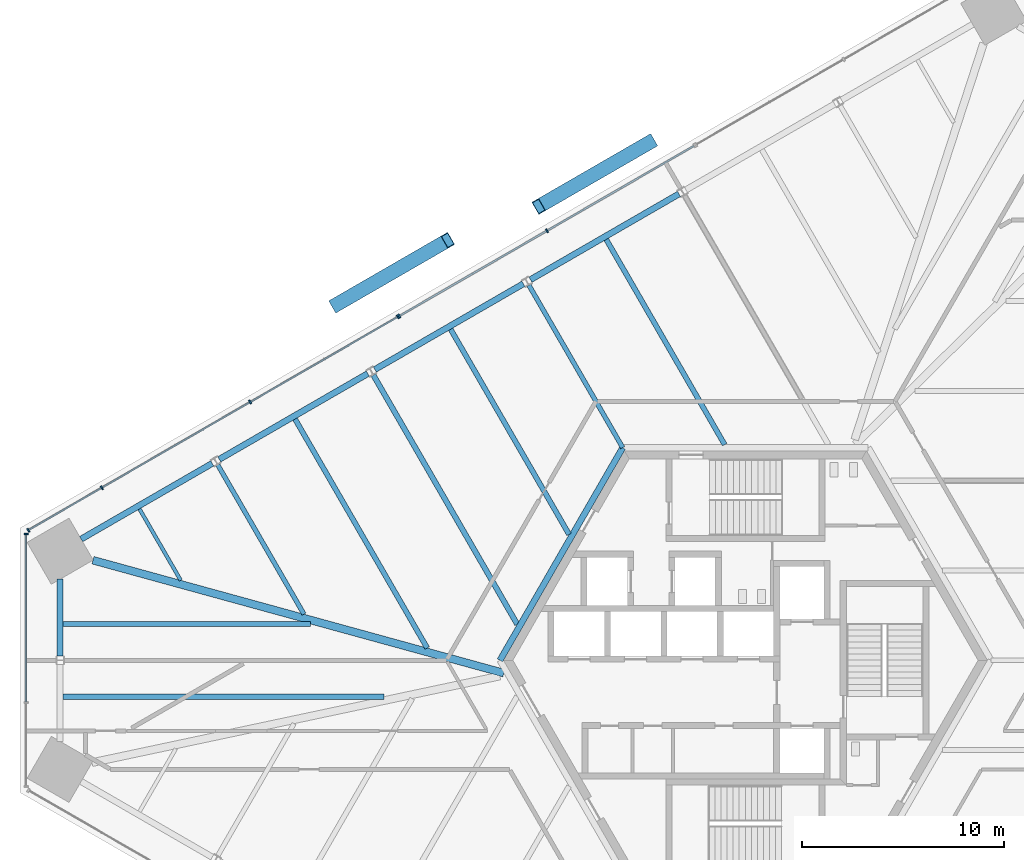
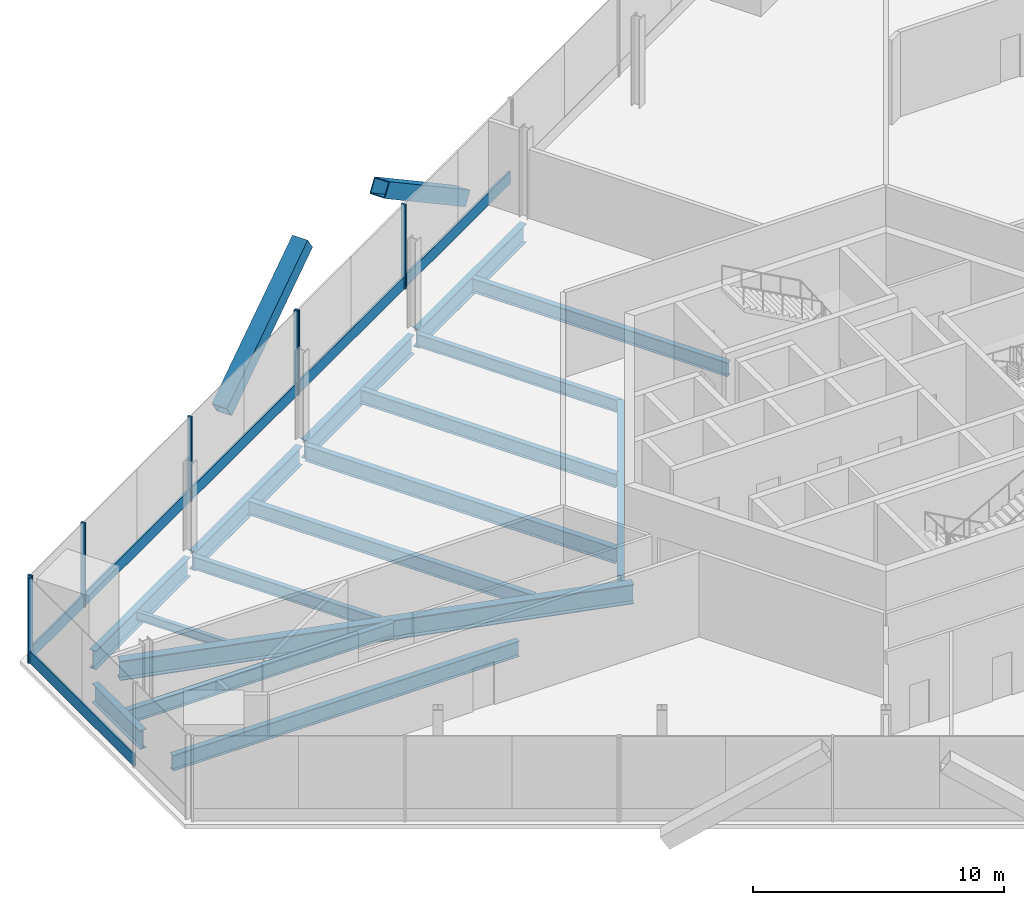
# One storey, part 5 of 15: 16 beams, 15 members, 3 elements without a shape of their own.
"""IFC4 building model written with IfcOpenShell, lengths in metres."""

from ifc_helpers import new_model, si_unit, direction, frame, origin, origin_2d, place, context, subcontext, project, spatial, rectangle, hollow_rectangle, i_section, extrude, source, transform, mapped, material, material_profile, profile_set, type_object, element, aggregate, save


model = new_model("IFC4")

# Units and contexts
model_context = context("Model", 3, precision=1e-05, world=origin(), true_north=direction((0.0, 1.0)))
body_context = subcontext(model_context, "Body", "Model", "MODEL_VIEW")
ifc_project = project(units=[si_unit("LENGTHUNIT", "METRE"), si_unit("AREAUNIT", "SQUARE_METRE"), si_unit("VOLUMEUNIT", "CUBIC_METRE"), si_unit("PLANEANGLEUNIT", "RADIAN"), si_unit("MASSUNIT", "GRAM", prefix="KILO")], contexts=[model_context])

# Site, building, storey
site_placement = place(None, origin())
site = spatial("IfcSite", under=ifc_project, at=site_placement, CompositionType="ELEMENT")
building_placement = place(site_placement, origin())
building = spatial("IfcBuilding", under=site, at=building_placement, Name="Triune Harvest Tower", CompositionType="ELEMENT")
storey_placement = place(building_placement, frame((0.0, 0.0, 28.89990234375)))
storey = spatial("IfcBuildingStorey", under=building, at=storey_placement, Name="L06", CompositionType="ELEMENT", Elevation=28.89990234375)

# Beams
ifc_material_1 = material(Name="Steel ASTM A992 Gr 50", Category="steel")
ifc_material_profile_1 = material_profile(ifc_material_1, i_section(OverallWidth=0.3046875, OverallDepth=0.914306640625, WebThickness=0.0166015625, FlangeThickness=0.02587890625, at=origin_2d()), Name="W36x160")
ifc_profile_set_1 = profile_set([ifc_material_profile_1], Name="Steel ASTM A992 Gr 50")
beam_type_1 = type_object("IfcBeamType", Name="CG-1 Core ring girder W36x160", PredefinedType="BEAM", material=ifc_profile_set_1)
shared_shape_1 = source(origin(), body_context, "Body", "SweptSolid", [
    extrude(i_section(OverallWidth=0.3046875, OverallDepth=0.914306640625, WebThickness=0.0166015625, FlangeThickness=0.02587890625, at=origin_2d()), origin(), (0.0, 0.0, 1.0), 12.176025390625),
])
beam_1_placement = place(storey_placement, frame((-6.087890625, 10.544677734375, -0.656982421875), z_axis=(-0.5000099932, -0.866019634131, 0.0), x_axis=(0.866019634131, -0.5000099932, 0.0)))
element("IfcBeam", 1, at=beam_1_placement, inside=storey, type_object=beam_type_1, Name="beam/L06/CG3", PredefinedType="BEAM", context=body_context, shape_type="MappedRepresentation", body=[
    mapped(shared_shape_1, transform((0.0, 0.0, 0.0), scale=1.0)),
])
ifc_material_2 = material(Name="Steel ASTM A992 Gr 50", Category="steel")
ifc_material_profile_2 = material_profile(ifc_material_2, i_section(OverallWidth=0.383544921875, OverallDepth=0.9423828125, WebThickness=0.022216796875, FlangeThickness=0.039794921875, at=origin_2d()), Name="W36x232")
ifc_profile_set_2 = profile_set([ifc_material_profile_2], Name="Steel ASTM A992 Gr 50")
beam_type_2 = type_object("IfcBeamType", Name="HG-1 Hip girder W36x232", PredefinedType="BEAM", material=ifc_profile_set_2)
shared_shape_2 = source(origin(), body_context, "Body", "SweptSolid", [
    extrude(i_section(OverallWidth=0.383544921875, OverallDepth=0.9423828125, WebThickness=0.022216796875, FlangeThickness=0.039794921875, at=origin_2d()), origin(), (0.0, 0.0, 1.0), 21.13232421875),
])
beam_2_placement = place(storey_placement, frame((-32.3623046875, 4.963134765625, -0.671142578125), z_axis=(0.964269976316, -0.264921521918, 0.0), x_axis=(0.264921521918, 0.964269976316, 0.0)))
element("IfcBeam", 2, at=beam_2_placement, inside=storey, type_object=beam_type_2, Name="beam/L06/HG4", PredefinedType="BEAM", context=body_context, shape_type="MappedRepresentation", body=[
    mapped(shared_shape_2, transform((0.0, 0.0, 0.0), scale=1.0)),
])
ifc_material_3 = material(Name="Steel ASTM A992 Gr 50", Category="steel")
ifc_material_profile_3 = material_profile(ifc_material_3, i_section(OverallWidth=0.2666015625, OverallDepth=0.7568359375, WebThickness=0.013916015625, FlangeThickness=0.019287109375, at=origin_2d()), Name="W30x108")
ifc_profile_set_3 = profile_set([ifc_material_profile_3], Name="Steel ASTM A992 Gr 50")
beam_type_3 = type_object("IfcBeamType", Name="JT-5 Floor joist W30x108", PredefinedType="JOIST", material=ifc_profile_set_3)
shared_shape_3 = source(origin(), body_context, "Body", "SweptSolid", [
    extrude(i_section(OverallWidth=0.2666015625, OverallDepth=0.7568359375, WebThickness=0.013916015625, FlangeThickness=0.019287109375, at=origin_2d()), origin(), (0.0, 0.0, 1.0), 14.2685546875),
])
beam_3_placement = place(storey_placement, frame((-18.454345703125, 14.14404296875, -0.578369140625), z_axis=(0.499987083308, -0.866032861112, 0.0), x_axis=(0.866032861112, 0.499987083308, 0.0)))
element("IfcBeam", 3, at=beam_3_placement, inside=storey, type_object=beam_type_3, Name="beam/L06/JT21", PredefinedType="JOIST", context=body_context, shape_type="MappedRepresentation", body=[
    mapped(shared_shape_3, transform((0.0, 0.0, 0.0), scale=1.0)),
])
ifc_material_4 = material(Name="Steel ASTM A992 Gr 50", Category="steel")
ifc_material_profile_4 = material_profile(ifc_material_4, i_section(OverallWidth=0.22900390625, OverallDepth=0.612060546875, WebThickness=0.011962890625, FlangeThickness=0.01953125, at=origin_2d()), Name="W24x84")
ifc_profile_set_4 = profile_set([ifc_material_profile_4], Name="Steel ASTM A992 Gr 50")
beam_type_4 = type_object("IfcBeamType", Name="JT-3 Floor joist W24x84", PredefinedType="JOIST", material=ifc_profile_set_4)
shared_shape_4 = source(origin(), body_context, "Body", "SweptSolid", [
    extrude(i_section(OverallWidth=0.22900390625, OverallDepth=0.612060546875, WebThickness=0.011962890625, FlangeThickness=0.01953125, at=origin_2d()), origin(), (0.0, 0.0, 1.0), 8.54736328125),
])
beam_4_placement = place(storey_placement, frame((-26.170654296875, 9.68896484375, -0.506103515625), z_axis=(0.500006795031, -0.866021480636, 0.0), x_axis=(0.866021480636, 0.500006795031, 0.0)))
element("IfcBeam", 4, at=beam_4_placement, inside=storey, type_object=beam_type_4, Name="beam/L06/JT23", PredefinedType="JOIST", context=body_context, shape_type="MappedRepresentation", body=[
    mapped(shared_shape_4, transform((0.0, 0.0, 0.0), scale=1.0)),
])
shared_shape_5 = source(origin(), body_context, "Body", "SweptSolid", [
    extrude(i_section(OverallWidth=0.22900390625, OverallDepth=0.612060546875, WebThickness=0.011962890625, FlangeThickness=0.01953125, at=origin_2d()), origin(), (0.0, 0.0, 1.0), 9.300537109375),
])
beam_5_placement = place(storey_placement, frame((-10.738037109375, 18.59912109375, -0.506103515625), z_axis=(0.49999285859, -0.86602952684, 0.0), x_axis=(0.86602952684, 0.49999285859, 0.0)))
element("IfcBeam", 5, at=beam_5_placement, inside=storey, type_object=beam_type_4, Name="beam/L06/JT19", PredefinedType="JOIST", context=body_context, shape_type="MappedRepresentation", body=[
    mapped(shared_shape_5, transform((0.0, 0.0, 0.0), scale=1.0)),
])
ifc_material_5 = material(Name="Steel ASTM A992 Gr 50", Category="steel")
ifc_material_profile_5 = material_profile(ifc_material_5, i_section(OverallWidth=0.3046875, OverallDepth=0.914306640625, WebThickness=0.0166015625, FlangeThickness=0.02587890625, at=origin_2d()), Name="W36x160")
ifc_profile_set_5 = profile_set([ifc_material_profile_5], Name="Steel ASTM A992 Gr 50")
beam_type_5 = type_object("IfcBeamType", Name="SB-1 Spandrel beam W36x160", PredefinedType="SPANDREL", material=ifc_profile_set_5)
shared_shape_6 = source(origin(), body_context, "Body", "SweptSolid", [
    extrude(i_section(OverallWidth=0.3046875, OverallDepth=0.914306640625, WebThickness=0.0166015625, FlangeThickness=0.02587890625, at=origin_2d()), origin(), (0.0, 0.0, 1.0), 7.508056640625),
])
beam_6_placement = place(storey_placement, frame((-26.447265625, 9.763916015625, -0.656982421875), z_axis=(-0.866033425553, -0.499986105632, 0.0), x_axis=(0.499986105632, -0.866033425553, 0.0)))
element("IfcBeam", 6, at=beam_6_placement, inside=storey, type_object=beam_type_5, Name="beam/L06/SB14", PredefinedType="SPANDREL", context=body_context, shape_type="MappedRepresentation", body=[
    mapped(shared_shape_6, transform((0.0, 0.0, 0.0), scale=1.0)),
])
shared_shape_7 = source(origin(), body_context, "Body", "SweptSolid", [
    extrude(i_section(OverallWidth=0.3046875, OverallDepth=0.914306640625, WebThickness=0.0166015625, FlangeThickness=0.02587890625, at=origin_2d()), origin(), (0.0, 0.0, 1.0), 8.506103515625),
])
for number, where, z_axis, x_axis, name in (
    (7, (-3.29833984375, 23.12890625, -0.656982421875), (-0.866030246746, -0.49999161165, 0.0), (0.49999161165, -0.866030246746, 0.0), "beam/L06/SB11"),
    (8, (-11.0146484375, 18.674072265625, -0.656982421875), (-0.866017818397, -0.500013138047, 0.0), (0.500013138047, -0.866017818397, 0.0), "beam/L06/SB12"),
    (9, (-18.73095703125, 14.218994140625, -0.656982421875), (-0.866030246746, -0.49999161165, 0.0), (0.49999161165, -0.866030246746, 0.0), "beam/L06/SB13"),
):
    element("IfcBeam", number, at=place(storey_placement, frame(where, z_axis=z_axis, x_axis=x_axis)), inside=storey, type_object=beam_type_5, Name=name, PredefinedType="SPANDREL", context=body_context, shape_type="MappedRepresentation", body=[
        mapped(shared_shape_7, transform((0.0, 0.0, 0.0), scale=1.0)),
    ])
shared_shape_8 = source(origin(), body_context, "Body", "SweptSolid", [
    extrude(i_section(OverallWidth=0.3046875, OverallDepth=0.914306640625, WebThickness=0.0166015625, FlangeThickness=0.02587890625, at=origin_2d()), origin(), (0.0, 0.0, 1.0), 3.822509765625),
])
beam_7_placement = place(storey_placement, frame((-33.988525390625, 4.0244140625, -0.656982421875), z_axis=(0.0, -1.0, 0.0), x_axis=(1.0, 0.0, 0.0)))
element("IfcBeam", 10, at=beam_7_placement, inside=storey, type_object=beam_type_5, Name="beam/L06/SB15", PredefinedType="SPANDREL", context=body_context, shape_type="MappedRepresentation", body=[
    mapped(shared_shape_8, transform((0.0, 0.0, 0.0), scale=1.0)),
])
ifc_material_6 = material(Name="Steel ASTM A992 Gr 50", Category="steel")
ifc_material_profile_6 = material_profile(ifc_material_6, i_section(OverallWidth=0.180908203125, OverallDepth=0.41650390625, WebThickness=0.010986328125, FlangeThickness=0.01806640625, at=origin_2d()), Name="W16x57")
ifc_profile_set_6 = profile_set([ifc_material_profile_6], Name="Steel ASTM A992 Gr 50")
beam_type_6 = type_object("IfcBeamType", Name="JT-1 Floor joist W16x57", PredefinedType="JOIST", material=ifc_profile_set_6)
shared_shape_9 = source(origin(), body_context, "Body", "SweptSolid", [
    extrude(i_section(OverallWidth=0.180908203125, OverallDepth=0.41650390625, WebThickness=0.010986328125, FlangeThickness=0.01806640625, at=origin_2d()), origin(), (0.0, 0.0, 1.0), 4.08642578125),
])
beam_8_placement = place(storey_placement, frame((-30.05419921875, 7.505615234375, -0.408203125), z_axis=(0.49998792433, -0.866032375563, 0.0), x_axis=(0.866032375563, 0.49998792433, 0.0)))
element("IfcBeam", 11, at=beam_8_placement, inside=storey, type_object=beam_type_6, Name="beam/L06/JT24", PredefinedType="JOIST", context=body_context, shape_type="MappedRepresentation", body=[
    mapped(shared_shape_9, transform((0.0, 0.0, 0.0), scale=1.0)),
])
ifc_material_7 = material(Name="Steel ASTM A992 Gr 50", Category="steel")
ifc_material_profile_7 = material_profile(ifc_material_7, i_section(OverallWidth=0.253662109375, OverallDepth=0.683349609375, WebThickness=0.012451171875, FlangeThickness=0.01904296875, at=origin_2d()), Name="W27x94")
ifc_profile_set_7 = profile_set([ifc_material_profile_7], Name="Steel ASTM A992 Gr 50")
beam_type_7 = type_object("IfcBeamType", Name="JT-4 Floor joist W27x94", PredefinedType="JOIST", material=ifc_profile_set_7)
shared_shape_10 = source(origin(), body_context, "Body", "SweptSolid", [
    extrude(i_section(OverallWidth=0.253662109375, OverallDepth=0.683349609375, WebThickness=0.012451171875, FlangeThickness=0.01904296875, at=origin_2d()), origin(), (0.0, 0.0, 1.0), 12.2509765625),
])
beam_9_placement = place(storey_placement, frame((-33.836181640625, 1.80322265625, -0.54150390625), z_axis=(1.0, 0.0, 0.0), x_axis=(0.0, 1.0, 0.0)))
element("IfcBeam", 12, at=beam_9_placement, inside=storey, type_object=beam_type_7, Name="beam/L06/JT25", PredefinedType="JOIST", context=body_context, shape_type="MappedRepresentation", body=[
    mapped(shared_shape_10, transform((0.0, 0.0, 0.0), scale=1.0)),
])
shared_shape_11 = source(origin(), body_context, "Body", "SweptSolid", [
    extrude(i_section(OverallWidth=0.2666015625, OverallDepth=0.7568359375, WebThickness=0.013916015625, FlangeThickness=0.019287109375, at=origin_2d()), origin(), (0.0, 0.0, 1.0), 15.90771484375),
])
beam_10_placement = place(storey_placement, frame((-33.836181640625, -1.80322265625, -0.578369140625), z_axis=(1.0, 0.0, 0.0), x_axis=(0.0, 1.0, 0.0)))
element("IfcBeam", 13, at=beam_10_placement, inside=storey, type_object=beam_type_3, Name="beam/L06/JT26", PredefinedType="JOIST", context=body_context, shape_type="MappedRepresentation", body=[
    mapped(shared_shape_11, transform((0.0, 0.0, 0.0), scale=1.0)),
])
shared_shape_12 = source(origin(), body_context, "Body", "SweptSolid", [
    extrude(i_section(OverallWidth=0.253662109375, OverallDepth=0.683349609375, WebThickness=0.012451171875, FlangeThickness=0.01904296875, at=origin_2d()), origin(), (0.0, 0.0, 1.0), 11.74755859375),
])
beam_11_placement = place(storey_placement, frame((-6.905517578125, 20.87060546875, -0.54150390625), z_axis=(0.500003693016, -0.86602327161, 0.0), x_axis=(0.86602327161, 0.500003693016, 0.0)))
element("IfcBeam", 14, at=beam_11_placement, inside=storey, type_object=beam_type_7, Name="beam/L06/JT18", PredefinedType="JOIST", context=body_context, shape_type="MappedRepresentation", body=[
    mapped(shared_shape_12, transform((0.0, 0.0, 0.0), scale=1.0)),
])
shared_shape_13 = source(origin(), body_context, "Body", "SweptSolid", [
    extrude(i_section(OverallWidth=0.253662109375, OverallDepth=0.683349609375, WebThickness=0.012451171875, FlangeThickness=0.01904296875, at=origin_2d()), origin(), (0.0, 0.0, 1.0), 11.7470703125),
])
beam_12_placement = place(storey_placement, frame((-14.62158203125, 16.41552734375, -0.54150390625), z_axis=(0.49999710518, -0.866027075103, 0.0), x_axis=(0.866027075103, 0.49999710518, 0.0)))
element("IfcBeam", 15, at=beam_12_placement, inside=storey, type_object=beam_type_7, Name="beam/L06/JT20", PredefinedType="JOIST", context=body_context, shape_type="MappedRepresentation", body=[
    mapped(shared_shape_13, transform((0.0, 0.0, 0.0), scale=1.0)),
])
shared_shape_14 = source(origin(), body_context, "Body", "SweptSolid", [
    extrude(i_section(OverallWidth=0.253662109375, OverallDepth=0.683349609375, WebThickness=0.012451171875, FlangeThickness=0.01904296875, at=origin_2d()), origin(), (0.0, 0.0, 1.0), 13.10986328125),
])
beam_13_placement = place(storey_placement, frame((-22.337890625, 11.96044921875, -0.54150390625), z_axis=(0.499998646344, -0.866026185317, 0.0), x_axis=(0.866026185317, 0.499998646344, 0.0)))
element("IfcBeam", 16, at=beam_13_placement, inside=storey, type_object=beam_type_7, Name="beam/L06/JT22", PredefinedType="JOIST", context=body_context, shape_type="MappedRepresentation", body=[
    mapped(shared_shape_14, transform((0.0, 0.0, 0.0), scale=1.0)),
])

# Members
ifc_material_8 = material(Name="Steel ASTM A572 Gr 50", Category="steel")
ifc_material_profile_8 = material_profile(ifc_material_8, hollow_rectangle(XDim=0.699951171875, YDim=0.699951171875, WallThickness=0.0400390625, at=origin_2d()), Name="Box 700x700x40")
ifc_profile_set_8 = profile_set([ifc_material_profile_8], Name="Steel ASTM A572 Gr 50")
member_type_1 = type_object("IfcMemberType", Name="BR-1 Brace Box 700x700x40", PredefinedType="BRACE", material=ifc_profile_set_8)
shared_shape_15 = source(origin(), body_context, "Body", "SweptSolid", [
    extrude(hollow_rectangle(XDim=0.699951171875, YDim=0.699951171875, WallThickness=0.0400390625, at=origin_2d()), origin(), (0.0, 0.0, 1.0), 7.728271484375),
])
for number, where, z_axis, x_axis, name in (
    (17, (-4.6953125, 25.719482421875, 0.0), (-0.719598229356, -0.415445643543, 0.556402107803), (0.499986832606, -0.86603300585, 0.0), "brace/B1-F3/d1/4"),
    (18, (-20.326171875, 17.618896484375, 0.0), (0.719598229356, 0.415445643543, 0.556402107803), (-0.499986832606, 0.86603300585, 0.0), "brace/B1-F3/d2/4"),
):
    element("IfcMember", number, at=place(storey_placement, frame(where, z_axis=z_axis, x_axis=x_axis)), inside=storey, type_object=member_type_1, Name=name, PredefinedType="BRACE", context=body_context, shape_type="MappedRepresentation", body=[
        mapped(shared_shape_15, transform((0.0, 0.0, 0.0), scale=1.0)),
    ])

# Curtain wall, members
ifc_material_9 = material(Name="Aluminium bronze anodised", Category="aluminium")
curtain_wall_type_1 = type_object("IfcCurtainWallType", Name="CW-8 Farm floor curtain wall with insulated spandrel infill", PredefinedType="NOTDEFINED", material=ifc_material_9)
curtain_wall_1_placement = place(storey_placement, origin())
curtain_wall_1 = element("IfcCurtainWall", 19, at=curtain_wall_1_placement, inside=storey, type_object=curtain_wall_type_1, Name="CW-8 B1-F3 L06 run 1001")
ifc_material_10 = material(Name="Aluminium bronze anodised", Category="aluminium")
ifc_material_profile_9 = material_profile(ifc_material_10, rectangle(XDim=0.199951171875, YDim=0.080078125, at=origin_2d()), Name="MU-3 mullion 80 x 200")
ifc_profile_set_9 = profile_set([ifc_material_profile_9], Name="Aluminium bronze anodised")
member_type_2 = type_object("IfcMemberType", Name="MU-3 mullion 80 x 200", PredefinedType="MULLION", material=ifc_profile_set_9)
shared_shape_16 = source(origin(), body_context, "Body", "SweptSolid", [
    extrude(rectangle(XDim=0.199951171875, YDim=0.080078125, at=origin_2d()), origin(), (0.0, 0.0, 1.0), 4.10009765625),
])
member_1_placement = place(storey_placement, frame((-9.845947265625, 21.30224609375, 0.0), z_axis=(0.0, 0.0, 1.0), x_axis=(0.500000044272, -0.866025378224, 0.0)))
member_1 = element("IfcMember", 20, at=member_1_placement, type_object=member_type_2, Name="CW-8 mullion B1-F3 1001.3", PredefinedType="MULLION", context=body_context, shape_type="MappedRepresentation", body=[
    mapped(shared_shape_16, transform((0.0, 0.0, 0.0), scale=1.0)),
])
member_2_placement = place(storey_placement, frame((-17.17041015625, 17.073486328125, 0.0), z_axis=(0.0, 0.0, 1.0), x_axis=(0.500000044272, -0.866025378224, 0.0)))
member_2 = element("IfcMember", 21, at=member_2_placement, type_object=member_type_2, Name="CW-8 mullion B1-F3 1001.5", PredefinedType="MULLION", context=body_context, shape_type="MappedRepresentation", body=[
    mapped(shared_shape_16, transform((0.0, 0.0, 0.0), scale=1.0)),
])

ifc_material_11 = material(Name="Aluminium bronze anodised", Category="aluminium")
curtain_wall_type_2 = type_object("IfcCurtainWallType", Name="CW-3 Farm floor curtain wall", PredefinedType="NOTDEFINED", material=ifc_material_11)
curtain_wall_2_placement = place(storey_placement, origin())
curtain_wall_2 = element("IfcCurtainWall", 22, at=curtain_wall_2_placement, inside=storey, type_object=curtain_wall_type_2, Name="CW-3 B1-F3 L06 run 2001")
member_3_placement = place(storey_placement, frame((-17.23974609375, 17.03369140625, 0.0), z_axis=(0.0, 0.0, 1.0), x_axis=(0.499998768415, -0.866026114839, 0.0)))
member_3 = element("IfcMember", 23, at=member_3_placement, type_object=member_type_2, Name="CW-3 mullion B1-F3 2001.1", PredefinedType="MULLION", context=body_context, shape_type="MappedRepresentation", body=[
    mapped(shared_shape_16, transform((0.0, 0.0, 0.0), scale=1.0)),
])
member_4_placement = place(storey_placement, frame((-24.56396484375, 12.804931640625, 0.0), z_axis=(0.0, 0.0, 1.0), x_axis=(0.499998768415, -0.866026114839, 0.0)))
member_4 = element("IfcMember", 24, at=member_4_placement, type_object=member_type_2, Name="CW-3 mullion B1-F3 2001.3", PredefinedType="MULLION", context=body_context, shape_type="MappedRepresentation", body=[
    mapped(shared_shape_16, transform((0.0, 0.0, 0.0), scale=1.0)),
])
member_5_placement = place(storey_placement, frame((-31.923095703125, 8.55615234375, 0.0), z_axis=(0.0, 0.0, 1.0), x_axis=(0.499998768415, -0.866026114839, 0.0)))
member_5 = element("IfcMember", 25, at=member_5_placement, type_object=member_type_2, Name="CW-3 mullion B1-F3 2001.5", PredefinedType="MULLION", context=body_context, shape_type="MappedRepresentation", body=[
    mapped(shared_shape_16, transform((0.0, 0.0, 0.0), scale=1.0)),
])
member_6_placement = place(storey_placement, frame((-35.56787109375, 6.451904296875, 0.0), z_axis=(0.0, 0.0, 1.0), x_axis=(0.499998768415, -0.866026114839, 0.0)))
member_6 = element("IfcMember", 26, at=member_6_placement, type_object=member_type_2, Name="CW-3 mullion B1-F3 2001.6", PredefinedType="MULLION", context=body_context, shape_type="MappedRepresentation", body=[
    mapped(shared_shape_16, transform((0.0, 0.0, 0.0), scale=1.0)),
])

curtain_wall_3_placement = place(storey_placement, origin())
curtain_wall_3 = element("IfcCurtainWall", 27, at=curtain_wall_3_placement, inside=storey, type_object=curtain_wall_type_2, Name="CW-3 B1-F4 L06 run 1")
member_7_placement = place(storey_placement, frame((-35.680419921875, 6.2568359375, 0.0), z_axis=(0.0, 0.0, 1.0), x_axis=(1.0, 0.0, 0.0)))
member_7 = element("IfcMember", 28, at=member_7_placement, type_object=member_type_2, Name="CW-3 mullion B1-F4 1.1", PredefinedType="MULLION", context=body_context, shape_type="MappedRepresentation", body=[
    mapped(shared_shape_16, transform((0.0, 0.0, 0.0), scale=1.0)),
])
ifc_material_12 = material(Name="Aluminium bronze anodised", Category="aluminium")
ifc_material_profile_10 = material_profile(ifc_material_12, rectangle(XDim=0.090087890625, YDim=0.60009765625, at=origin_2d()), Name="TR-3 transom 90 x 600")
ifc_profile_set_10 = profile_set([ifc_material_profile_10], Name="Aluminium bronze anodised")
member_type_3 = type_object("IfcMemberType", Name="TR-3 transom 90 x 600", PredefinedType="USERDEFINED", material=ifc_profile_set_10)
shared_shape_17 = source(origin(), body_context, "Body", "SweptSolid", [
    extrude(rectangle(XDim=0.090087890625, YDim=0.60009765625, at=origin_2d()), origin(), (0.0, 0.0, 1.0), 8.275634765625),
])
member_8_placement = place(storey_placement, frame((-35.680419921875, 6.216796875, 0.300048828125), z_axis=(0.0, -1.0, 0.0), x_axis=(1.0, 0.0, 0.0)))
member_8 = element("IfcMember", 29, at=member_8_placement, type_object=member_type_3, Name="CW-3 transom B1-F4 1.1", ObjectType="TRANSOM", PredefinedType="USERDEFINED", context=body_context, shape_type="MappedRepresentation", body=[
    mapped(shared_shape_17, transform((0.0, 0.0, 0.0), scale=1.0)),
])
aggregate(curtain_wall_3, [member_7, member_8])

# Member
shared_shape_18 = source(origin(), body_context, "Body", "SweptSolid", [
    extrude(rectangle(XDim=0.090087890625, YDim=0.60009765625, at=origin_2d()), origin(), (0.0, 0.0, 1.0), 8.37744140625),
])
member_9_placement = place(storey_placement, frame((-2.55615234375, 25.510986328125, 0.300048828125), z_axis=(-0.866026892193, -0.499997421992, 0.0), x_axis=(0.499997421992, -0.866026892193, 0.0)))
member_9 = element("IfcMember", 30, at=member_9_placement, type_object=member_type_3, Name="CW-8 transom B1-F3 1001.1", ObjectType="TRANSOM", PredefinedType="USERDEFINED", context=body_context, shape_type="MappedRepresentation", body=[
    mapped(shared_shape_18, transform((0.0, 0.0, 0.0), scale=1.0)),
])

member_10_placement = place(storey_placement, frame((-17.274169921875, 17.013671875, 0.300048828125), z_axis=(-0.866026892193, -0.499997421992, 0.0), x_axis=(0.499997421992, -0.866026892193, 0.0)))
member_10 = element("IfcMember", 31, at=member_10_placement, type_object=member_type_3, Name="CW-3 transom B1-F3 2001.1", ObjectType="TRANSOM", PredefinedType="USERDEFINED", context=body_context, shape_type="MappedRepresentation", body=[
    mapped(shared_shape_18, transform((0.0, 0.0, 0.0), scale=1.0)),
])

shared_shape_19 = source(origin(), body_context, "Body", "SweptSolid", [
    extrude(rectangle(XDim=0.090087890625, YDim=0.60009765625, at=origin_2d()), origin(), (0.0, 0.0, 1.0), 8.41748046875),
])
member_11_placement = place(storey_placement, frame((-24.5986328125, 12.784912109375, 0.300048828125), z_axis=(-0.866026680883, -0.499997787995, 0.0), x_axis=(0.499997787995, -0.866026680883, 0.0)))
member_11 = element("IfcMember", 32, at=member_11_placement, type_object=member_type_3, Name="CW-3 transom B1-F3 2001.2", ObjectType="TRANSOM", PredefinedType="USERDEFINED", context=body_context, shape_type="MappedRepresentation", body=[
    mapped(shared_shape_19, transform((0.0, 0.0, 0.0), scale=1.0)),
])

shared_shape_20 = source(origin(), body_context, "Body", "SweptSolid", [
    extrude(rectangle(XDim=0.090087890625, YDim=0.60009765625, at=origin_2d()), origin(), (0.0, 0.0, 1.0), 4.128662109375),
])
member_12_placement = place(storey_placement, frame((-31.957763671875, 8.5361328125, 0.300048828125), z_axis=(-0.86600734348, -0.500031280059, 0.0), x_axis=(0.500031280059, -0.86600734348, 0.0)))
member_12 = element("IfcMember", 33, at=member_12_placement, type_object=member_type_3, Name="CW-3 transom B1-F3 2001.3", ObjectType="TRANSOM", PredefinedType="USERDEFINED", context=body_context, shape_type="MappedRepresentation", body=[
    mapped(shared_shape_20, transform((0.0, 0.0, 0.0), scale=1.0)),
])

aggregate(curtain_wall_2, [member_3, member_4, member_5, member_6, member_10, member_11, member_12])

shared_shape_21 = source(origin(), body_context, "Body", "SweptSolid", [
    extrude(rectangle(XDim=0.090087890625, YDim=0.60009765625, at=origin_2d()), origin(), (0.0, 0.0, 1.0), 8.377685546875),
])
member_13_placement = place(storey_placement, frame((-9.880615234375, 21.282470703125, 0.300048828125), z_axis=(-0.866014273083, -0.500019278445, 0.0), x_axis=(0.500019278445, -0.866014273083, 0.0)))
member_13 = element("IfcMember", 34, at=member_13_placement, type_object=member_type_3, Name="CW-8 transom B1-F3 1001.2", ObjectType="TRANSOM", PredefinedType="USERDEFINED", context=body_context, shape_type="MappedRepresentation", body=[
    mapped(shared_shape_21, transform((0.0, 0.0, 0.0), scale=1.0)),
])

aggregate(curtain_wall_1, [member_1, member_2, member_9, member_13])

save(model, "model.ifc")
